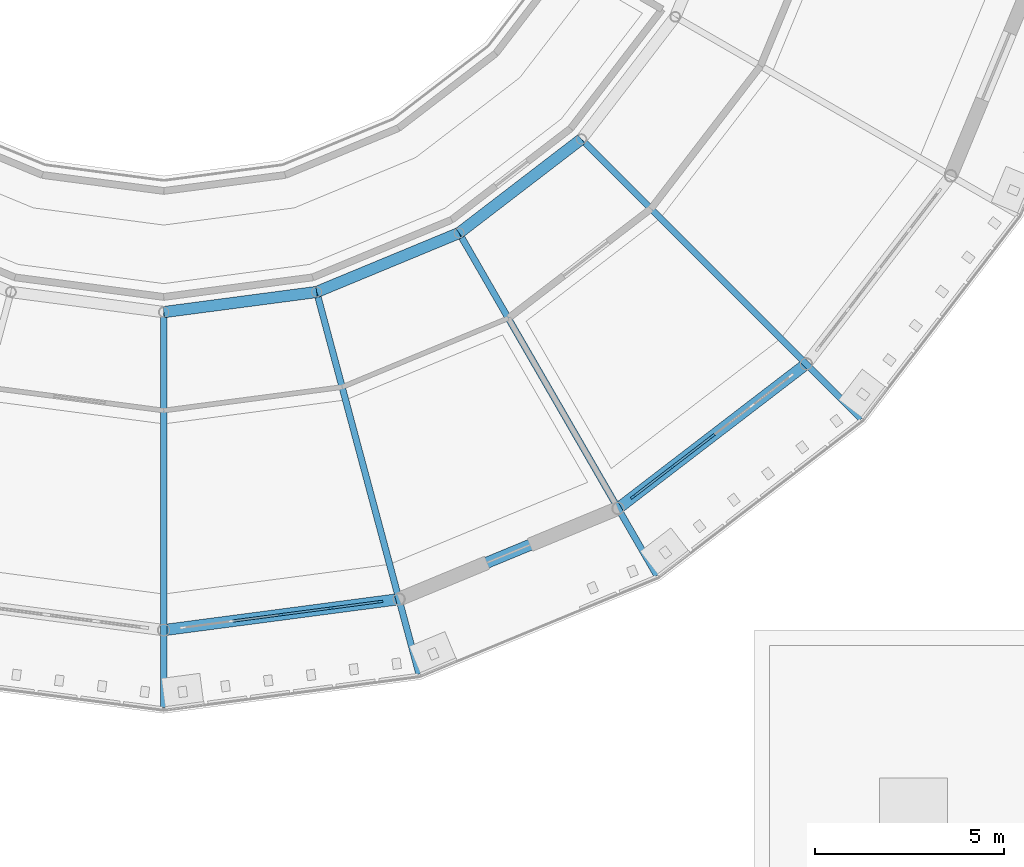
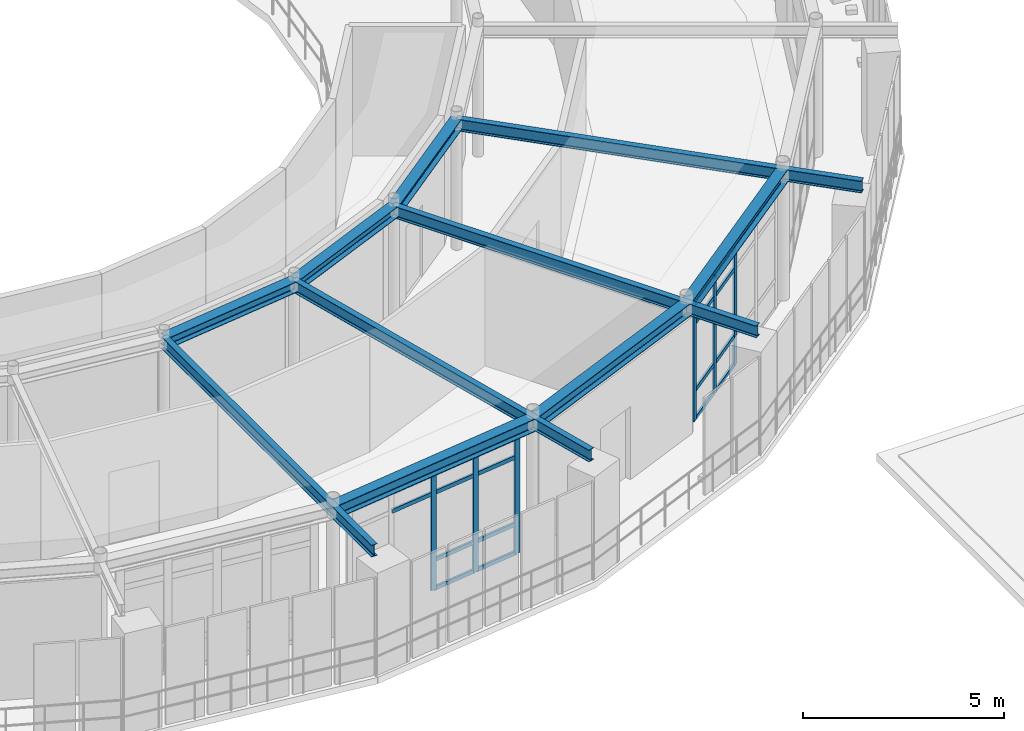
# One storey, part 34 of 90: 24 members, 10 beams, 2 elements without a shape of their own.
"""IFC4 building model written with IfcOpenShell, lengths in metres."""

from ifc_helpers import new_model, si_unit, derived_unit, direction, frame, origin, origin_2d, place, context, subcontext, project, spatial, rectangle, i_section, extrude, material, layer, layer_set, material_profile, profile_set, type_object, element, aggregate, save


model = new_model("IFC4")

# Units and contexts
model_context = context("Model", 3, precision=1e-05, world=origin(), true_north=direction((0.0, 1.0)))
body_context = subcontext(model_context, "Body", "Model", "MODEL_VIEW")
ifc_project = project(units=[si_unit("LENGTHUNIT", "METRE"), si_unit("AREAUNIT", "SQUARE_METRE"), si_unit("VOLUMEUNIT", "CUBIC_METRE"), si_unit("PLANEANGLEUNIT", "RADIAN"), si_unit("MASSUNIT", "GRAM", prefix="KILO"), derived_unit("THERMALTRANSMITTANCEUNIT", [(si_unit("POWERUNIT", "WATT"), 1), (si_unit("AREAUNIT", "SQUARE_METRE"), -1), (si_unit("THERMODYNAMICTEMPERATUREUNIT", "KELVIN"), -1)])], contexts=[model_context])

# Site, building, storey
site_placement = place(None, origin())
site = spatial("IfcSite", under=ifc_project, at=site_placement, CompositionType="ELEMENT")
building_placement = place(site_placement, origin())
building = spatial("IfcBuilding", under=site, at=building_placement, Name="Yasenodar Specialist Clinic", CompositionType="ELEMENT")
storey_placement = place(building_placement, frame((0.0, 0.0, 9.0)))
storey = spatial("IfcBuildingStorey", under=building, at=storey_placement, Name="L02", CompositionType="ELEMENT", Elevation=9.0)

# Beams
ifc_material_1 = material(Name="Steel S355", Category="steel")
ifc_material_profile_1 = material_profile(ifc_material_1, i_section(OverallWidth=0.300048828125, OverallDepth=0.330078125, WebThickness=0.009521484375, FlangeThickness=0.0166015625, FilletRadius=0.027099609375, at=origin_2d()), Name="HEA 340")
ifc_profile_set_1 = profile_set([ifc_material_profile_1], Name="Steel S355")
beam_type_1 = type_object("IfcBeamType", Name="BM-HEA340", PredefinedType="BEAM", material=ifc_profile_set_1)
for number, where, z_axis, x_axis, name in (
    (1, (81.0, 43.199951171875, 3.784912109375), (0.991439189385, 0.130569268018, 0.0), (-0.130569268018, 0.991439189385, 0.0), "L02 Drum V1 Inner Ring Beam"),
    (2, (85.03759765625, 43.731689453125, 3.784912109375), (0.92388896868, 0.382660650645, 0.0), (-0.382660650645, 0.92388896868, 0.0), "L02 Drum V1 Inner Ring Beam"),
    (3, (88.800048828125, 45.2900390625, 3.784912109375), (0.793376657722, 0.608731039936, 0.0), (-0.608731039936, 0.793376657722, 0.0), "L02 Drum V1 Inner Ring Beam"),
):
    element("IfcBeam", number, at=place(storey_placement, frame(where, z_axis=z_axis, x_axis=x_axis)), inside=storey, type_object=beam_type_1, Name=name, PredefinedType="BEAM", context=body_context, shape_type="SweptSolid", body=[
        extrude(i_section(OverallWidth=0.300048828125, OverallDepth=0.330078125, WebThickness=0.009521484375, FlangeThickness=0.0166015625, FilletRadius=0.027099609375, at=origin_2d()), origin(), (0.0, 0.0, 1.0), 4.072509765625),
    ])
ifc_material_profile_2 = material_profile(ifc_material_1, i_section(OverallWidth=0.300048828125, OverallDepth=0.389892578125, WebThickness=0.010986328125, FlangeThickness=0.01904296875, FilletRadius=0.027099609375, at=origin_2d()), Name="HEA 400")
ifc_profile_set_2 = profile_set([ifc_material_profile_2], Name="Steel S355")
beam_type_2 = type_object("IfcBeamType", Name="BM-HEA400", PredefinedType="BEAM", material=ifc_profile_set_2)
beam_1_placement = place(storey_placement, frame((81.0, 34.800048828125, 3.7548828125), z_axis=(0.991443018138, 0.130540192224, 0.0), x_axis=(-0.130540192224, 0.991443018138, 0.0)))
element("IfcBeam", 4, at=beam_1_placement, inside=storey, type_object=beam_type_2, Name="L02 Drum V1 Perimeter Ring Beam", PredefinedType="BEAM", context=body_context, shape_type="SweptSolid", body=[
    extrude(i_section(OverallWidth=0.300048828125, OverallDepth=0.389892578125, WebThickness=0.010986328125, FlangeThickness=0.01904296875, FilletRadius=0.027099609375, at=origin_2d()), origin(), (0.0, 0.0, 1.0), 6.265380859375),
])
beam_2_placement = place(storey_placement, frame((87.211669921875, 35.617919921875, 3.7548828125), z_axis=(0.9238876519, 0.382663829839, 0.0), x_axis=(-0.382663829839, 0.9238876519, 0.0)))
element("IfcBeam", 5, at=beam_2_placement, inside=storey, type_object=beam_type_2, Name="L02 Drum V1 Perimeter Ring Beam", PredefinedType="BEAM", context=body_context, shape_type="SweptSolid", body=[
    extrude(i_section(OverallWidth=0.300048828125, OverallDepth=0.389892578125, WebThickness=0.010986328125, FlangeThickness=0.01904296875, FilletRadius=0.027099609375, at=origin_2d()), origin(), (0.0, 0.0, 1.0), 6.26513671875),
])
beam_3_placement = place(storey_placement, frame((93.0, 38.015380859375, 3.7548828125), z_axis=(0.793367971845, 0.608742360322, 0.0), x_axis=(-0.608742360322, 0.793367971845, 0.0)))
element("IfcBeam", 6, at=beam_3_placement, inside=storey, type_object=beam_type_2, Name="L02 Drum V1 Perimeter Ring Beam", PredefinedType="BEAM", context=body_context, shape_type="SweptSolid", body=[
    extrude(i_section(OverallWidth=0.300048828125, OverallDepth=0.389892578125, WebThickness=0.010986328125, FlangeThickness=0.01904296875, FilletRadius=0.027099609375, at=origin_2d()), origin(), (0.0, 0.0, 1.0), 6.265380859375),
])
ifc_material_profile_3 = material_profile(ifc_material_1, i_section(OverallWidth=0.169921875, OverallDepth=0.360107421875, WebThickness=0.008056640625, FlangeThickness=0.0126953125, FilletRadius=0.01806640625, at=origin_2d()), Name="IPE 360")
ifc_profile_set_3 = profile_set([ifc_material_profile_3], Name="Steel S355")
beam_type_3 = type_object("IfcBeamType", Name="BM-IPE360", PredefinedType="BEAM", material=ifc_profile_set_3)
for number, where, z_axis, x_axis, name in (
    (7, (81.0, 43.199951171875, 3.77001953125), (0.0, -1.0, 0.0), (1.0, 0.0, 0.0), "L02 Drum V1 Radial Back-Spanned Cantilever Beam"),
    (8, (85.03759765625, 43.731689453125, 3.77001953125), (0.258811211874, -0.965927925162, 0.0), (0.965927925162, 0.258811211874, 0.0), "L02 Drum V1 Radial Back-Spanned Cantilever Beam"),
    (9, (88.800048828125, 45.2900390625, 3.77001953125), (0.499986032603, -0.866033467715, 0.0), (0.866033467715, 0.499986032603, 0.0), "L02 Drum V1 Radial Back-Spanned Cantilever Beam"),
    (10, (92.031005859375, 47.76904296875, 3.77001953125), (0.707106781187, -0.707106781187, 0.0), (0.707106781187, 0.707106781187, 0.0), "L02 Drum V1 Radial Back-Spanned Cantilever Beam"),
):
    element("IfcBeam", number, at=place(storey_placement, frame(where, z_axis=z_axis, x_axis=x_axis)), inside=storey, type_object=beam_type_3, Name=name, PredefinedType="BEAM", context=body_context, shape_type="SweptSolid", body=[
        extrude(i_section(OverallWidth=0.169921875, OverallDepth=0.360107421875, WebThickness=0.008056640625, FlangeThickness=0.0126953125, FilletRadius=0.01806640625, at=origin_2d()), origin(), (0.0, 0.0, 1.0), 10.449951171875),
    ])

# Curtain wall, members
ifc_material_2 = material(Name="Bronze Anodized Aluminium and Triple Low-E Glass", Category="aluminium")
ifc_layer = layer(ifc_material_2, 0.1669921875)
ifc_layer_set = layer_set([ifc_layer], Name="Bronze Anodized Aluminium and Triple Low-E Glass")
curtain_wall_type = type_object("IfcCurtainWallType", Name="CW-SYS-01", PredefinedType="USERDEFINED", material=ifc_layer_set)
curtain_wall_1_placement = place(storey_placement, origin())
curtain_wall_1 = element("IfcCurtainWall", 11, at=curtain_wall_1_placement, inside=storey, type_object=curtain_wall_type, Name="L02 Unitised Curtain Wall 036", ObjectType="UNITISED CURTAIN WALL", PredefinedType="USERDEFINED")
ifc_material_3 = material(Name="Bronze Anodized Aluminium", Category="aluminium")
ifc_material_profile_4 = material_profile(ifc_material_3, rectangle(XDim=0.06005859375, YDim=0.159912109375, at=origin_2d()), Name="CW-MULL 60x160")
ifc_profile_set_4 = profile_set([ifc_material_profile_4], Name="Bronze Anodized Aluminium")
member_type_1 = type_object("IfcMemberType", Name="CW-MULL-160", PredefinedType="MULLION", material=ifc_profile_set_4)
member_1_placement = place(storey_placement, frame((86.7060546875, 35.55126953125, 0.0), z_axis=(0.0, 0.0, 1.0), x_axis=(0.13051156024, -0.991446787601, 0.0)))
member_1 = element("IfcMember", 12, at=member_1_placement, type_object=member_type_1, Name="CW-01 mullion 1", PredefinedType="MULLION", context=body_context, shape_type="SweptSolid", body=[
    extrude(rectangle(XDim=0.06005859375, YDim=0.159912109375, at=origin_2d()), origin(), (0.0, 0.0, 1.0), 3.5380859375),
])
member_2_placement = place(storey_placement, frame((85.4208984375, 35.382080078125, 0.0), z_axis=(0.0, 0.0, 1.0), x_axis=(0.13051156024, -0.991446787601, 0.0)))
member_2 = element("IfcMember", 13, at=member_2_placement, type_object=member_type_1, Name="CW-01 mullion 2", PredefinedType="MULLION", context=body_context, shape_type="SweptSolid", body=[
    extrude(rectangle(XDim=0.06005859375, YDim=0.159912109375, at=origin_2d()), origin(), (0.0, 0.0, 1.0), 3.5380859375),
])
member_3_placement = place(storey_placement, frame((84.10595703125, 35.208984375, 0.0), z_axis=(0.0, 0.0, 1.0), x_axis=(0.13051156024, -0.991446787601, 0.0)))
member_3 = element("IfcMember", 14, at=member_3_placement, type_object=member_type_1, Name="CW-01 mullion 3", PredefinedType="MULLION", context=body_context, shape_type="SweptSolid", body=[
    extrude(rectangle(XDim=0.06005859375, YDim=0.159912109375, at=origin_2d()), origin(), (0.0, 0.0, 1.0), 3.5380859375),
])

curtain_wall_2_placement = place(storey_placement, origin())
curtain_wall_2 = element("IfcCurtainWall", 15, at=curtain_wall_2_placement, inside=storey, type_object=curtain_wall_type, Name="L02 Unitised Curtain Wall 037", ObjectType="UNITISED CURTAIN WALL", PredefinedType="USERDEFINED")
member_4_placement = place(storey_placement, frame((95.4853515625, 39.92236328125, 0.0), z_axis=(0.0, 0.0, 1.0), x_axis=(0.608752021844, -0.793360558574, 0.0)))
member_4 = element("IfcMember", 16, at=member_4_placement, type_object=member_type_1, Name="CW-01 mullion 3", PredefinedType="MULLION", context=body_context, shape_type="SweptSolid", body=[
    extrude(rectangle(XDim=0.06005859375, YDim=0.159912109375, at=origin_2d()), origin(), (0.0, 0.0, 1.0), 3.5380859375),
])
member_5_placement = place(storey_placement, frame((94.43310546875, 39.114990234375, 0.0), z_axis=(0.0, 0.0, 1.0), x_axis=(0.608752021844, -0.793360558574, 0.0)))
member_5 = element("IfcMember", 17, at=member_5_placement, type_object=member_type_1, Name="CW-01 mullion 4", PredefinedType="MULLION", context=body_context, shape_type="SweptSolid", body=[
    extrude(rectangle(XDim=0.06005859375, YDim=0.159912109375, at=origin_2d()), origin(), (0.0, 0.0, 1.0), 3.5380859375),
])
member_6_placement = place(storey_placement, frame((93.404541015625, 38.325927734375, 0.0), z_axis=(0.0, 0.0, 1.0), x_axis=(0.608752021844, -0.793360558574, 0.0)))
member_6 = element("IfcMember", 18, at=member_6_placement, type_object=member_type_1, Name="CW-01 mullion 5", PredefinedType="MULLION", context=body_context, shape_type="SweptSolid", body=[
    extrude(rectangle(XDim=0.06005859375, YDim=0.159912109375, at=origin_2d()), origin(), (0.0, 0.0, 1.0), 3.5380859375),
])

# Member
ifc_material_profile_5 = material_profile(ifc_material_3, rectangle(XDim=0.06005859375, YDim=0.1201171875, at=origin_2d()), Name="CW-TRAN 60x120")
ifc_profile_set_5 = profile_set([ifc_material_profile_5], Name="Bronze Anodized Aluminium")
member_type_2 = type_object("IfcMemberType", Name="CW-TRAN-120", PredefinedType="USERDEFINED", material=ifc_profile_set_5)
member_7_placement = place(storey_placement, frame((86.67626953125, 35.54736328125, 0.030029296875), z_axis=(-0.991442191305, -0.130546471803, 0.0), x_axis=(0.130546471803, -0.991442191305, 0.0)))
member_7 = element("IfcMember", 19, at=member_7_placement, type_object=member_type_2, Name="CW-01 transom 1.1", ObjectType="TRANSOM", PredefinedType="USERDEFINED", context=body_context, shape_type="SweptSolid", body=[
    extrude(rectangle(XDim=0.06005859375, YDim=0.1201171875, at=origin_2d()), origin(), (0.0, 0.0, 1.0), 1.236083984375),
])

member_8_placement = place(storey_placement, frame((86.67626953125, 35.54736328125, 0.89990234375), z_axis=(-0.991442191305, -0.130546471803, 0.0), x_axis=(0.130546471803, -0.991442191305, 0.0)))
member_8 = element("IfcMember", 20, at=member_8_placement, type_object=member_type_2, Name="CW-01 transom 1.2", ObjectType="TRANSOM", PredefinedType="USERDEFINED", context=body_context, shape_type="SweptSolid", body=[
    extrude(rectangle(XDim=0.06005859375, YDim=0.1201171875, at=origin_2d()), origin(), (0.0, 0.0, 1.0), 1.236083984375),
])

member_9_placement = place(storey_placement, frame((86.67626953125, 35.54736328125, 2.93798828125), z_axis=(-0.991442191305, -0.130546471803, 0.0), x_axis=(0.130546471803, -0.991442191305, 0.0)))
member_9 = element("IfcMember", 21, at=member_9_placement, type_object=member_type_2, Name="CW-01 transom 1.3", ObjectType="TRANSOM", PredefinedType="USERDEFINED", context=body_context, shape_type="SweptSolid", body=[
    extrude(rectangle(XDim=0.06005859375, YDim=0.1201171875, at=origin_2d()), origin(), (0.0, 0.0, 1.0), 1.236083984375),
])

member_10_placement = place(storey_placement, frame((86.67626953125, 35.54736328125, 3.508056640625), z_axis=(-0.991442191305, -0.130546471803, 0.0), x_axis=(0.130546471803, -0.991442191305, 0.0)))
member_10 = element("IfcMember", 22, at=member_10_placement, type_object=member_type_2, Name="CW-01 transom 1.4", ObjectType="TRANSOM", PredefinedType="USERDEFINED", context=body_context, shape_type="SweptSolid", body=[
    extrude(rectangle(XDim=0.06005859375, YDim=0.1201171875, at=origin_2d()), origin(), (0.0, 0.0, 1.0), 1.236083984375),
])

member_11_placement = place(storey_placement, frame((85.39111328125, 35.378173828125, 0.030029296875), z_axis=(-0.991447076407, -0.13050936627, 0.0), x_axis=(0.13050936627, -0.991447076407, 0.0)))
member_11 = element("IfcMember", 23, at=member_11_placement, type_object=member_type_2, Name="CW-01 transom 2.1", ObjectType="TRANSOM", PredefinedType="USERDEFINED", context=body_context, shape_type="SweptSolid", body=[
    extrude(rectangle(XDim=0.06005859375, YDim=0.1201171875, at=origin_2d()), origin(), (0.0, 0.0, 1.0), 1.266357421875),
])

member_12_placement = place(storey_placement, frame((85.39111328125, 35.378173828125, 0.89990234375), z_axis=(-0.991447076407, -0.13050936627, 0.0), x_axis=(0.13050936627, -0.991447076407, 0.0)))
member_12 = element("IfcMember", 24, at=member_12_placement, type_object=member_type_2, Name="CW-01 transom 2.2", ObjectType="TRANSOM", PredefinedType="USERDEFINED", context=body_context, shape_type="SweptSolid", body=[
    extrude(rectangle(XDim=0.06005859375, YDim=0.1201171875, at=origin_2d()), origin(), (0.0, 0.0, 1.0), 1.266357421875),
])

member_13_placement = place(storey_placement, frame((85.39111328125, 35.378173828125, 2.93798828125), z_axis=(-0.991447076407, -0.13050936627, 0.0), x_axis=(0.13050936627, -0.991447076407, 0.0)))
member_13 = element("IfcMember", 25, at=member_13_placement, type_object=member_type_2, Name="CW-01 transom 2.3", ObjectType="TRANSOM", PredefinedType="USERDEFINED", context=body_context, shape_type="SweptSolid", body=[
    extrude(rectangle(XDim=0.06005859375, YDim=0.1201171875, at=origin_2d()), origin(), (0.0, 0.0, 1.0), 1.266357421875),
])

member_14_placement = place(storey_placement, frame((85.39111328125, 35.378173828125, 3.508056640625), z_axis=(-0.991447076407, -0.13050936627, 0.0), x_axis=(0.13050936627, -0.991447076407, 0.0)))
member_14 = element("IfcMember", 26, at=member_14_placement, type_object=member_type_2, Name="CW-01 transom 2.4", ObjectType="TRANSOM", PredefinedType="USERDEFINED", context=body_context, shape_type="SweptSolid", body=[
    extrude(rectangle(XDim=0.06005859375, YDim=0.1201171875, at=origin_2d()), origin(), (0.0, 0.0, 1.0), 1.266357421875),
])

member_15_placement = place(storey_placement, frame((84.076171875, 35.205078125, 2.93798828125), z_axis=(-0.991447076407, -0.13050936627, 0.0), x_axis=(0.13050936627, -0.991447076407, 0.0)))
member_15 = element("IfcMember", 27, at=member_15_placement, type_object=member_type_2, Name="CW-01 transom 3.3", ObjectType="TRANSOM", PredefinedType="USERDEFINED", context=body_context, shape_type="SweptSolid", body=[
    extrude(rectangle(XDim=0.06005859375, YDim=0.1201171875, at=origin_2d()), origin(), (0.0, 0.0, 1.0), 1.266357421875),
])

member_16_placement = place(storey_placement, frame((84.076171875, 35.205078125, 3.508056640625), z_axis=(-0.991447076407, -0.13050936627, 0.0), x_axis=(0.13050936627, -0.991447076407, 0.0)))
member_16 = element("IfcMember", 28, at=member_16_placement, type_object=member_type_2, Name="CW-01 transom 3.4", ObjectType="TRANSOM", PredefinedType="USERDEFINED", context=body_context, shape_type="SweptSolid", body=[
    extrude(rectangle(XDim=0.06005859375, YDim=0.1201171875, at=origin_2d()), origin(), (0.0, 0.0, 1.0), 1.266357421875),
])

aggregate(curtain_wall_1, [member_1, member_2, member_3, member_7, member_8, member_9, member_10, member_11, member_12, member_13, member_14, member_15, member_16])

member_17_placement = place(storey_placement, frame((95.46142578125, 39.904052734375, 0.030029296875), z_axis=(-0.793404604701, -0.608694614104, 0.0), x_axis=(0.608694614104, -0.793404604701, 0.0)))
member_17 = element("IfcMember", 29, at=member_17_placement, type_object=member_type_2, Name="CW-01 transom 3.1", ObjectType="TRANSOM", PredefinedType="USERDEFINED", context=body_context, shape_type="SweptSolid", body=[
    extrude(rectangle(XDim=0.06005859375, YDim=0.1201171875, at=origin_2d()), origin(), (0.0, 0.0, 1.0), 1.266357421875),
])

member_18_placement = place(storey_placement, frame((95.46142578125, 39.904052734375, 0.89990234375), z_axis=(-0.793404604701, -0.608694614104, 0.0), x_axis=(0.608694614104, -0.793404604701, 0.0)))
member_18 = element("IfcMember", 30, at=member_18_placement, type_object=member_type_2, Name="CW-01 transom 3.2", ObjectType="TRANSOM", PredefinedType="USERDEFINED", context=body_context, shape_type="SweptSolid", body=[
    extrude(rectangle(XDim=0.06005859375, YDim=0.1201171875, at=origin_2d()), origin(), (0.0, 0.0, 1.0), 1.266357421875),
])

member_19_placement = place(storey_placement, frame((95.46142578125, 39.904052734375, 2.93798828125), z_axis=(-0.793404604701, -0.608694614104, 0.0), x_axis=(0.608694614104, -0.793404604701, 0.0)))
member_19 = element("IfcMember", 31, at=member_19_placement, type_object=member_type_2, Name="CW-01 transom 3.3", ObjectType="TRANSOM", PredefinedType="USERDEFINED", context=body_context, shape_type="SweptSolid", body=[
    extrude(rectangle(XDim=0.06005859375, YDim=0.1201171875, at=origin_2d()), origin(), (0.0, 0.0, 1.0), 1.266357421875),
])

member_20_placement = place(storey_placement, frame((95.46142578125, 39.904052734375, 3.508056640625), z_axis=(-0.793404604701, -0.608694614104, 0.0), x_axis=(0.608694614104, -0.793404604701, 0.0)))
member_20 = element("IfcMember", 32, at=member_20_placement, type_object=member_type_2, Name="CW-01 transom 3.4", ObjectType="TRANSOM", PredefinedType="USERDEFINED", context=body_context, shape_type="SweptSolid", body=[
    extrude(rectangle(XDim=0.06005859375, YDim=0.1201171875, at=origin_2d()), origin(), (0.0, 0.0, 1.0), 1.266357421875),
])

member_21_placement = place(storey_placement, frame((94.4091796875, 39.0966796875, 0.030029296875), z_axis=(-0.793386964626, -0.608717606417, 0.0), x_axis=(0.608717606417, -0.793386964626, 0.0)))
member_21 = element("IfcMember", 33, at=member_21_placement, type_object=member_type_2, Name="CW-01 transom 4.1", ObjectType="TRANSOM", PredefinedType="USERDEFINED", context=body_context, shape_type="SweptSolid", body=[
    extrude(rectangle(XDim=0.06005859375, YDim=0.1201171875, at=origin_2d()), origin(), (0.0, 0.0, 1.0), 1.236083984375),
])

member_22_placement = place(storey_placement, frame((94.4091796875, 39.0966796875, 0.89990234375), z_axis=(-0.793386964626, -0.608717606417, 0.0), x_axis=(0.608717606417, -0.793386964626, 0.0)))
member_22 = element("IfcMember", 34, at=member_22_placement, type_object=member_type_2, Name="CW-01 transom 4.2", ObjectType="TRANSOM", PredefinedType="USERDEFINED", context=body_context, shape_type="SweptSolid", body=[
    extrude(rectangle(XDim=0.06005859375, YDim=0.1201171875, at=origin_2d()), origin(), (0.0, 0.0, 1.0), 1.236083984375),
])

member_23_placement = place(storey_placement, frame((94.4091796875, 39.0966796875, 2.93798828125), z_axis=(-0.793386964626, -0.608717606417, 0.0), x_axis=(0.608717606417, -0.793386964626, 0.0)))
member_23 = element("IfcMember", 35, at=member_23_placement, type_object=member_type_2, Name="CW-01 transom 4.3", ObjectType="TRANSOM", PredefinedType="USERDEFINED", context=body_context, shape_type="SweptSolid", body=[
    extrude(rectangle(XDim=0.06005859375, YDim=0.1201171875, at=origin_2d()), origin(), (0.0, 0.0, 1.0), 1.236083984375),
])

member_24_placement = place(storey_placement, frame((94.4091796875, 39.0966796875, 3.508056640625), z_axis=(-0.793386964626, -0.608717606417, 0.0), x_axis=(0.608717606417, -0.793386964626, 0.0)))
member_24 = element("IfcMember", 36, at=member_24_placement, type_object=member_type_2, Name="CW-01 transom 4.4", ObjectType="TRANSOM", PredefinedType="USERDEFINED", context=body_context, shape_type="SweptSolid", body=[
    extrude(rectangle(XDim=0.06005859375, YDim=0.1201171875, at=origin_2d()), origin(), (0.0, 0.0, 1.0), 1.236083984375),
])

aggregate(curtain_wall_2, [member_4, member_5, member_6, member_17, member_18, member_19, member_20, member_21, member_22, member_23, member_24])

save(model, "model.ifc")
